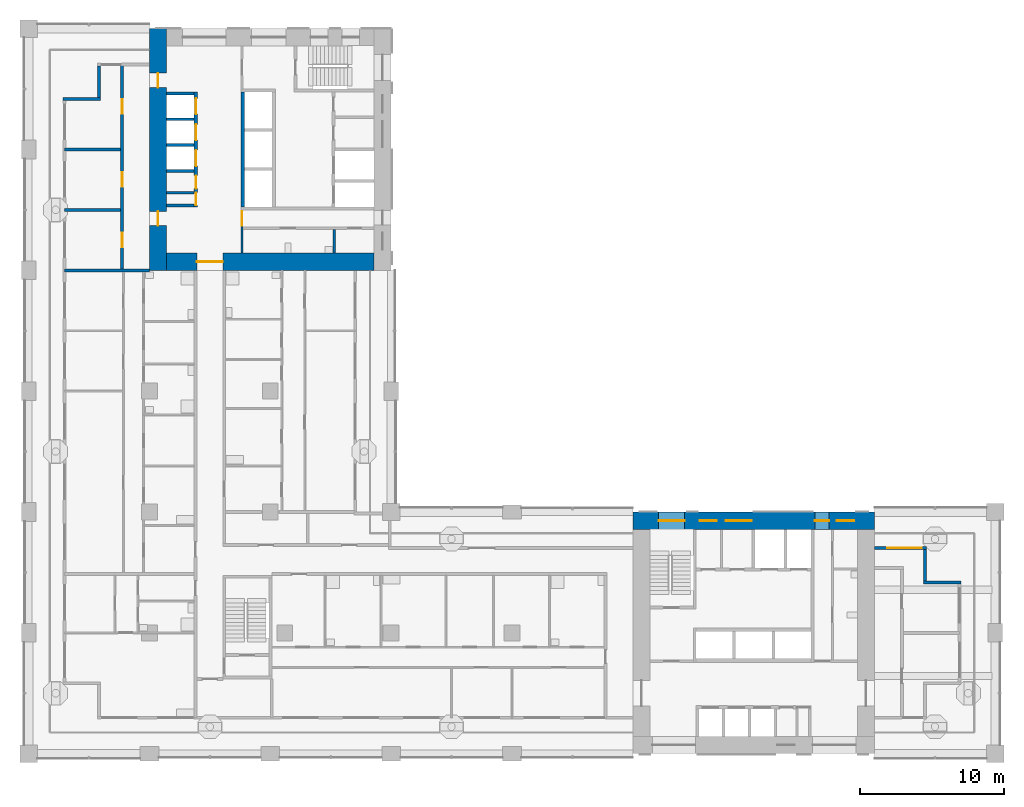
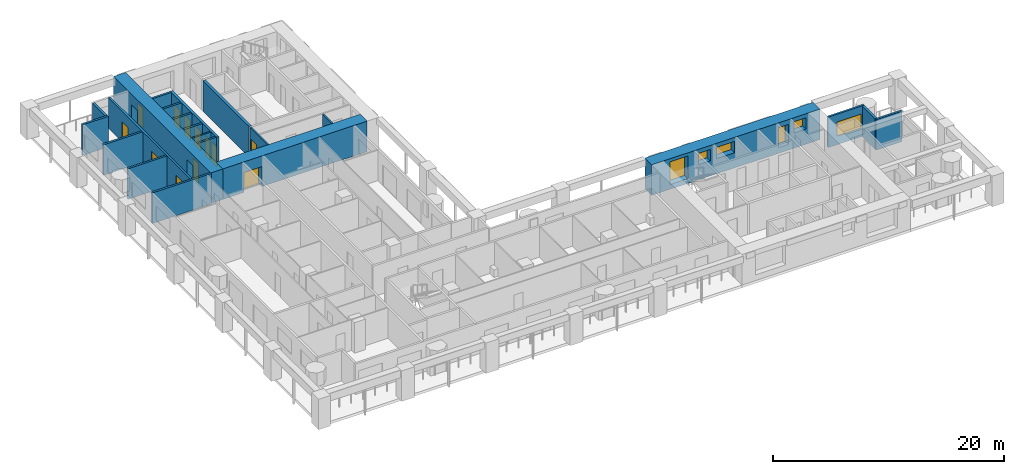
# One storey, part 6 of 18: 22 walls, 12 doors, 6 windows, 18 openings.
"""IFC4 building model written with IfcOpenShell, lengths in metres."""

import ifcopenshell
import ifcopenshell.guid

model = None  # the IFC model being written
_history = None  # IfcOwnerHistory: only IFC2X3 demands one
_inside = {}  # id of a spatial element -> (the spatial element, [elements in it])
_under = {}  # id of a project, library or spatial element -> (it, [spatial elements below it])
_declared = {}  # id of a project -> (the project, [libraries it declares])
_typed = {}  # id of a type object -> (the type object, [elements of that type])
_made_of = {}  # id of a material, layer set ... -> (it, [elements and type objects made of it])


def new_model(schema):
    """Start an empty IFC model of exactly this schema.

    Asked for "IFC4X3", IfcOpenShell would pick the latest addendum, in which some entities
    have other attributes; the version numbers below select the first issue.
    IFC2X3 requires an IfcOwnerHistory on every rooted entity: one is made here for all.
    """
    global model, _history
    if schema == "IFC4X3":
        model = ifcopenshell.file(schema_version=(4, 3, 0, 0))
    else:
        model = ifcopenshell.file(schema=schema)
    _inside.clear()
    _under.clear()
    _declared.clear()
    _typed.clear()
    _made_of.clear()
    _history = None
    if model.schema == "IFC2X3":
        org = make("IfcOrganization", Name="unknown")
        user = make(
            "IfcPersonAndOrganization",
            ThePerson=make("IfcPerson", FamilyName="unknown"),
            TheOrganization=org,
        )
        app = make(
            "IfcApplication",
            ApplicationDeveloper=org,
            Version="unknown",
            ApplicationFullName="unknown",
            ApplicationIdentifier="unknown",
        )
        _history = make(
            "IfcOwnerHistory",
            OwningUser=user,
            OwningApplication=app,
            ChangeAction="ADDED",
            CreationDate=0,
        )
    return model


def make(cls, **values):
    """One entity of the class cls with the attributes given. An attribute that is None is left unset."""
    return model.create_entity(
        cls, **{name: value for name, value in values.items() if value is not None}
    )


def rooted(cls, **values):
    """An entity with a GlobalId (a new one), such as an element, a storey or a relation."""
    return make(cls, GlobalId=ifcopenshell.guid.new(), OwnerHistory=_history, **values)


def si_unit(unit_type, name, prefix=None):
    """IfcSIUnit, for example si_unit("LENGTHUNIT", "METRE", prefix="MILLI")."""
    return make("IfcSIUnit", UnitType=unit_type, Prefix=prefix, Name=name)


def assignment(units):
    """IfcUnitAssignment: the units of a project."""
    return None if units is None else make("IfcUnitAssignment", Units=units)


def point(xyz):
    """IfcCartesianPoint."""
    return None if xyz is None else make("IfcCartesianPoint", Coordinates=xyz)


def direction(xyz):
    """IfcDirection."""
    return None if xyz is None else make("IfcDirection", DirectionRatios=xyz)


def frame(location, z_axis=None, x_axis=None):
    """IfcAxis2Placement3D, a coordinate frame: its origin and axes. An axis left out is left unset."""
    return make(
        "IfcAxis2Placement3D",
        Location=point(location),
        Axis=direction(z_axis),
        RefDirection=direction(x_axis),
    )


def frame_2d(location, x_axis=None):
    """IfcAxis2Placement2D, a coordinate frame in the plane: its origin and x axis."""
    return make(
        "IfcAxis2Placement2D", Location=point(location), RefDirection=direction(x_axis)
    )


def origin():
    """The frame at (0, 0, 0) with its axes left unset."""
    return frame((0.0, 0.0, 0.0))


def place(relative_to, where):
    """IfcLocalPlacement: puts the frame where relative to a parent placement (None: the world)."""
    return make(
        "IfcLocalPlacement", PlacementRelTo=relative_to, RelativePlacement=where
    )


def context(
    kind, dimensions, precision=None, world=None, true_north=None, identifier=None
):
    """IfcGeometricRepresentationContext, for example the 3D "Model" context."""
    return make(
        "IfcGeometricRepresentationContext",
        ContextIdentifier=identifier,
        ContextType=kind,
        CoordinateSpaceDimension=dimensions,
        Precision=precision,
        WorldCoordinateSystem=world,
        TrueNorth=true_north,
    )


def subcontext(parent, identifier, kind, view, scale=None):
    """IfcGeometricRepresentationSubContext, for example "Body" below "Model"."""
    return make(
        "IfcGeometricRepresentationSubContext",
        ContextIdentifier=identifier,
        ContextType=kind,
        ParentContext=parent,
        TargetScale=scale,
        TargetView=view,
    )


def project(units=None, contexts=None):
    """IfcProject with its units and contexts."""
    return rooted(
        "IfcProject",
        Name="project",
        RepresentationContexts=contexts,
        UnitsInContext=assignment(units),
    )


def spatial(cls, under=None, at=None, **own):
    """A site, building, storey or space (cls), placed at a placement, below another one or the project."""
    s = rooted(cls, ObjectPlacement=at, **own)
    if under is not None:
        _under.setdefault(under.id(), (under, []))[1].append(s)
    return s


def profile(cls, at=None, kind="AREA", **sizes):
    """A parametric profile (cls). Its sizes go by their IFC names, for example OverallWidth=200.0."""
    return make(cls, ProfileType=kind, Position=at, **sizes)


def rectangle(**sizes):
    """IfcRectangleProfileDef."""
    return profile("IfcRectangleProfileDef", **sizes)


def extrude(swept, where, along, depth):
    """IfcExtrudedAreaSolid: the profile swept, set in the frame where, extruded along a direction by depth."""
    return make(
        "IfcExtrudedAreaSolid",
        SweptArea=swept,
        Position=where,
        ExtrudedDirection=direction(along),
        Depth=depth,
    )


def shape(context_of_items, identifier, shape_type, items):
    """IfcShapeRepresentation: the items that make up one representation, for example the "Body"."""
    return make(
        "IfcShapeRepresentation",
        ContextOfItems=context_of_items,
        RepresentationIdentifier=identifier,
        RepresentationType=shape_type,
        Items=items,
    )


def material(Name=None, Category=None):
    """IfcMaterial."""
    return make("IfcMaterial", Name=Name, Category=Category)


def layer(
    of_material, thickness, ventilated=None, Name=None, Category=None, Priority=None
):
    """IfcMaterialLayer: one layer of a wall or slab, of a material (None: an air gap)."""
    return make(
        "IfcMaterialLayer",
        Material=of_material,
        LayerThickness=thickness,
        IsVentilated=ventilated,
        Name=Name,
        Category=Category,
        Priority=Priority,
    )


def layer_set(layers, Name=None):
    """IfcMaterialLayerSet."""
    return make("IfcMaterialLayerSet", MaterialLayers=layers, LayerSetName=Name)


def made_of(thing, what):
    """Note that an element or type object is made of a material, layer set ...; save() writes the relation."""
    if what is not None:
        _made_of.setdefault(what.id(), (what, []))[1].append(thing)
    return thing


def type_object(cls, material=None, **own):
    """A type object (cls), such as IfcWallType, which elements share."""
    return made_of(rooted(cls, **own), material)


def element(
    cls,
    number,
    at=None,
    inside=None,
    cuts=None,
    type_object=None,
    material=None,
    context=None,
    identifier="Body",
    shape_type=None,
    held_by="IfcProductDefinitionShape",
    body=None,
    shapes=None,
    **own,
):
    """One element of the class cls, such as IfcWall. Its Tag is "e" and its number.

    at: its placement. inside: the storey or other place that contains it. cuts: it is an
    opening in that element (IfcRelVoidsElement). A single representation is given by context,
    identifier, shape_type and body (its items); several are given by shapes. held_by: the class
    of the entity that holds the representations. save() writes the other relations.
    """
    e = rooted(cls, Tag="e%d" % number, ObjectPlacement=at, **own)
    if body is not None:
        shapes = [shape(context, identifier, shape_type, body)]
    if shapes is not None:
        e.Representation = make(held_by, Representations=shapes)
    if inside is not None:
        _inside.setdefault(inside.id(), (inside, []))[1].append(e)
    if cuts is not None:
        rooted(
            "IfcRelVoidsElement", RelatingBuildingElement=cuts, RelatedOpeningElement=e
        )
    if type_object is not None:
        _typed.setdefault(type_object.id(), (type_object, []))[1].append(e)
    return made_of(e, material)


def fill(opening, filler):
    """IfcRelFillsElement: the door or window that sits in an opening."""
    return rooted(
        "IfcRelFillsElement",
        RelatingOpeningElement=opening,
        RelatedBuildingElement=filler,
    )


def aggregate(whole, parts):
    """IfcRelAggregates: a whole, such as a stair, and the parts it consists of."""
    return rooted("IfcRelAggregates", RelatingObject=whole, RelatedObjects=parts)


def save(model, path):
    """Write the relations noted so far, then the file.

    IfcRelAggregates (storeys below a building ...), IfcRelContainedInSpatialStructure (elements
    in a storey), IfcRelDefinesByType, IfcRelAssociatesMaterial and IfcRelDeclares: one each for
    every whole, place, type object, material and project.
    """
    for whole, parts in _under.values():
        aggregate(whole, parts)
    for where, things in _inside.values():
        rooted(
            "IfcRelContainedInSpatialStructure",
            RelatedElements=things,
            RelatingStructure=where,
        )
    for kind, things in _typed.values():
        rooted("IfcRelDefinesByType", RelatedObjects=things, RelatingType=kind)
    for what, things in _made_of.values():
        rooted("IfcRelAssociatesMaterial", RelatedObjects=things, RelatingMaterial=what)
    for by, libraries in _declared.values():
        rooted("IfcRelDeclares", RelatingContext=by, RelatedDefinitions=libraries)
    model.write(path)


model = new_model("IFC4")

# Units and contexts
model_context = context("Model", 3, precision=1e-05, world=origin(), true_north=direction((0.0, 1.0)))
body_context = subcontext(model_context, "Body", "Model", "MODEL_VIEW")
ifc_project = project(units=[si_unit("LENGTHUNIT", "METRE"), si_unit("AREAUNIT", "SQUARE_METRE"), si_unit("VOLUMEUNIT", "CUBIC_METRE"), si_unit("PLANEANGLEUNIT", "RADIAN"), si_unit("MASSUNIT", "GRAM", prefix="KILO")], contexts=[model_context])

# Site, building, storey
site_placement = place(None, origin())
site = spatial("IfcSite", under=ifc_project, at=site_placement, CompositionType="ELEMENT")
building_placement = place(site_placement, origin())
building = spatial("IfcBuilding", under=site, at=building_placement, Name="Vermilion Gate Residences", CompositionType="ELEMENT")
storey_placement = place(building_placement, frame((0.0, 0.0, 133.699951171875)))
storey = spatial("IfcBuildingStorey", under=building, at=storey_placement, Name="L34", CompositionType="ELEMENT", Elevation=133.699951171875)

# Wall
ifc_material_1 = material(Name="Masonry blockwork", Category="masonry")
ifc_layer_1 = layer(ifc_material_1, 0.14990234375)
ifc_layer_set_1 = layer_set([ifc_layer_1], Name="BLOCKWORK PARTITION 150 EI 120")
wall_type_1 = type_object("IfcWallType", Name="BLOCKWORK PARTITION 150 EI 120", PredefinedType="PARTITIONING", material=ifc_layer_set_1)
wall_1_placement = place(storey_placement, frame((9.60009765625, 47.392578125, 0.0), z_axis=(0.0, 0.0, 1.0), x_axis=(1.0, 0.0, 0.0)))
element("IfcWall", 1, at=wall_1_placement, inside=storey, type_object=wall_type_1, Name="Core room partition B34-SR-P0", PredefinedType="PARTITIONING", context=body_context, shape_type="SweptSolid", body=[
    extrude(rectangle(XDim=1.89990234375, YDim=0.14990234375, at=frame_2d((0.949951171875, 0.0))), origin(), (0.0, 0.0, 1.0), 3.219970703125),
])

# Wall, opening, door
wall_2_placement = place(storey_placement, frame((14.824951171875, 46.199951171875, 0.0), z_axis=(0.0, 0.0, 1.0), x_axis=(0.0, -1.0, 0.0)))
wall_2 = element("IfcWall", 2, at=wall_2_placement, inside=storey, type_object=wall_type_1, Name="Core room partition B34-ES-S", PredefinedType="PARTITIONING", context=body_context, shape_type="SweptSolid", body=[
    extrude(rectangle(XDim=3.0, YDim=0.14990234375, at=frame_2d((1.5, 0.0))), origin(), (0.0, 0.0, 1.0), 3.219970703125),
])
opening_1_placement = place(wall_2_placement, frame((0.10009765625, 0.0, 0.0)))
opening_1 = element("IfcOpeningElement", 3, at=opening_1_placement, cuts=wall_2, Name="Opening DK34115", PredefinedType="OPENING", context=body_context, shape_type="SweptSolid", body=[
    extrude(rectangle(XDim=1.0, YDim=2.10009765625, at=frame_2d((0.5, 1.050048828125))), frame((0.0, 0.0849609375, 0.0), z_axis=(0.0, -1.0, 0.0), x_axis=(1.0, 0.0, 0.0)), (0.0, 0.0, 1.0), 0.169921875),
])
ifc_material_2 = material(Name="Steel", Category="steel")
door_type_1 = type_object("IfcDoorType", Name="FIRE DOOR FD60 1000 X 2100", OperationType="SINGLE_SWING_LEFT", PredefinedType="DOOR", material=ifc_material_2)
door_1_placement = place(opening_1_placement, frame((1.0, 0.0, 0.0), z_axis=(0.0, 0.0, 1.0), x_axis=(-1.0, 0.0, 0.0)))
door_1 = element("IfcDoor", 4, at=door_1_placement, inside=storey, type_object=door_type_1, Name="Service corridor door B34", OperationType="SINGLE_SWING_LEFT", OverallHeight=2.10009765625, OverallWidth=1.0, PredefinedType="DOOR", context=body_context, shape_type="SweptSolid", body=[
    extrude(rectangle(XDim=1.0, YDim=2.10009765625, at=frame_2d((0.5, 1.050048828125))), frame((0.0, 0.02490234375, 0.0), z_axis=(0.0, -1.0, 0.0), x_axis=(1.0, 0.0, 0.0)), (0.0, 0.0, 1.0), 0.050048828125),
])
fill(opening_1, door_1)

# Walls
wall_3_placement = place(storey_placement, frame((21.239990234375, 44.85009765625, 0.0), z_axis=(0.0, 0.0, 1.0), x_axis=(0.0, -1.0, 0.0)))
element("IfcWall", 5, at=wall_3_placement, inside=storey, type_object=wall_type_1, Name="Core room partition B34-ES-P0", PredefinedType="PARTITIONING", context=body_context, shape_type="SweptSolid", body=[
    extrude(rectangle(XDim=1.650146484375, YDim=0.14990234375, at=frame_2d((0.8251953125, 0.0))), origin(), (0.0, 0.0, 1.0), 3.219970703125),
])
ifc_material_3 = material(Name="Insulated steel stud wall with terracotta rainscreen", Category="masonry")
ifc_layer_2 = layer(ifc_material_3, 0.199951171875)
ifc_layer_set_2 = layer_set([ifc_layer_2], Name="EXTERNAL WALL 200 TERRACOTTA RAINSCREEN")
wall_type_2 = type_object("IfcWallType", Name="EXTERNAL WALL 200 TERRACOTTA RAINSCREEN", PredefinedType="SOLIDWALL", material=ifc_layer_set_2)
wall_4_placement = place(storey_placement, frame((4.89990234375, 56.199951171875, 0.0), z_axis=(0.0, 0.0, 1.0), x_axis=(0.0, -1.0, 0.0)))
element("IfcWall", 6, at=wall_4_placement, inside=storey, type_object=wall_type_2, Name="External wall", PredefinedType="SOLIDWALL", context=body_context, shape_type="SweptSolid", body=[
    extrude(rectangle(XDim=2.199951171875, YDim=0.199951171875, at=frame_2d((1.10009765625, 0.0))), origin(), (0.0, 0.0, 1.0), 3.219970703125),
])
for number, where, z_axis, x_axis, name in (
    (7, (5.0, 53.89990234375, 0.0), (0.0, 0.0, 1.0), (-1.0, 0.0, 0.0), "External wall"),
    (8, (64.800048828125, 20.300048828125, 0.0), (0.0, 0.0, 1.0), (-1.0, 0.0, 0.0), "External wall"),
):
    element("IfcWall", number, at=place(storey_placement, frame(where, z_axis=z_axis, x_axis=x_axis)), inside=storey, type_object=wall_type_2, Name=name, PredefinedType="SOLIDWALL", context=body_context, shape_type="SweptSolid", body=[
        extrude(rectangle(XDim=2.60009765625, YDim=0.199951171875, at=frame_2d((1.300048828125, 0.0))), origin(), (0.0, 0.0, 1.0), 3.219970703125),
    ])
wall_5_placement = place(storey_placement, frame((62.300048828125, 20.39990234375, 0.0), z_axis=(0.0, 0.0, 1.0), x_axis=(0.0, 1.0, 0.0)))
element("IfcWall", 9, at=wall_5_placement, inside=storey, type_object=wall_type_2, Name="External wall", PredefinedType="SOLIDWALL", context=body_context, shape_type="SweptSolid", body=[
    extrude(rectangle(XDim=2.2001953125, YDim=0.199951171875, at=frame_2d((1.10009765625, 0.0))), origin(), (0.0, 0.0, 1.0), 3.219970703125),
])

# Wall, opening, window
wall_6_placement = place(storey_placement, frame((62.39990234375, 22.699951171875, 0.0), z_axis=(0.0, 0.0, 1.0), x_axis=(-1.0, 0.0, 0.0)))
wall_6 = element("IfcWall", 10, at=wall_6_placement, inside=storey, type_object=wall_type_2, Name="External wall", PredefinedType="SOLIDWALL", context=body_context, shape_type="SweptSolid", body=[
    extrude(rectangle(XDim=3.599853515625, YDim=0.199951171875, at=frame_2d((1.7998046875, 0.0))), origin(), (0.0, 0.0, 1.0), 3.219970703125),
])
opening_2_placement = place(wall_6_placement, frame((0.300048828125, 0.0, 0.89990234375)))
opening_2 = element("IfcOpeningElement", 11, at=opening_2_placement, cuts=wall_6, Name="Opening WE34023", PredefinedType="OPENING", context=body_context, shape_type="SweptSolid", body=[
    extrude(rectangle(XDim=2.39990234375, YDim=1.5, at=frame_2d((1.199951171875, 0.75))), frame((0.0, 0.10986328125, 0.0), z_axis=(0.0, -1.0, 0.0), x_axis=(1.0, 0.0, 0.0)), (0.0, 0.0, 1.0), 0.219970703125),
])
ifc_material_4 = material(Name="Aluminium and clear glass", Category="aluminium")
window_type_1 = type_object("IfcWindowType", Name="WINDOW 2400 X 1500", PartitioningType="SINGLE_PANEL", PredefinedType="WINDOW", material=ifc_material_4)
window_1_placement = place(opening_2_placement, origin())
window_1 = element("IfcWindow", 12, at=window_1_placement, inside=storey, type_object=window_type_1, Name="Window", OverallHeight=1.5, OverallWidth=2.39990234375, PartitioningType="SINGLE_PANEL", PredefinedType="WINDOW", context=body_context, shape_type="SweptSolid", body=[
    extrude(rectangle(XDim=2.39990234375, YDim=1.5, at=frame_2d((1.199951171875, 0.75))), frame((0.0, 0.030029296875, 0.0), z_axis=(0.0, -1.0, 0.0), x_axis=(1.0, 0.0, 0.0)), (0.0, 0.0, 1.0), 0.06005859375),
])
fill(opening_2, window_1)

# Walls
ifc_material_5 = material(Name="Fire-rated plasterboard on steel studs", Category="steel")
ifc_layer_3 = layer(ifc_material_5, 0.199951171875)
ifc_layer_set_3 = layer_set([ifc_layer_3], Name="PARTY WALL 200 EI 120")
wall_type_3 = type_object("IfcWallType", Name="PARTY WALL 200 EI 120", PredefinedType="PARTITIONING", material=ifc_layer_set_3)
wall_7_placement = place(storey_placement, frame((2.5, 42.0, 0.0), z_axis=(0.0, 0.0, 1.0), x_axis=(1.0, 0.0, 0.0)))
element("IfcWall", 13, at=wall_7_placement, inside=storey, type_object=wall_type_3, Name="Party and corridor wall", PredefinedType="PARTITIONING", context=body_context, shape_type="SweptSolid", body=[
    extrude(rectangle(XDim=5.89990234375, YDim=0.199951171875, at=frame_2d((2.949951171875, 0.0))), origin(), (0.0, 0.0, 1.0), 3.219970703125),
])
for number, where, z_axis, x_axis, name in (
    (14, (2.5, 46.199951171875, 0.0), (0.0, 0.0, 1.0), (1.0, 0.0, 0.0), "Party and corridor wall"),
    (15, (2.5, 50.39990234375, 0.0), (0.0, 0.0, 1.0), (1.0, 0.0, 0.0), "Party and corridor wall"),
):
    element("IfcWall", number, at=place(storey_placement, frame(where, z_axis=z_axis, x_axis=x_axis)), inside=storey, type_object=wall_type_3, Name=name, PredefinedType="PARTITIONING", context=body_context, shape_type="SweptSolid", body=[
        extrude(rectangle(XDim=3.89990234375, YDim=0.199951171875, at=frame_2d((1.949951171875, 0.0))), origin(), (0.0, 0.0, 1.0), 3.219970703125),
    ])

# Wall, openings, doors
wall_8_placement = place(storey_placement, frame((6.5, 42.10009765625, 0.0), z_axis=(0.0, 0.0, 1.0), x_axis=(0.0, 1.0, 0.0)))
wall_8 = element("IfcWall", 16, at=wall_8_placement, inside=storey, type_object=wall_type_3, Name="Party and corridor wall", PredefinedType="PARTITIONING", context=body_context, shape_type="SweptSolid", body=[
    extrude(rectangle(XDim=14.199951171875, YDim=0.199951171875, at=frame_2d((7.10009765625, 0.0))), origin(), (0.0, 0.0, 1.0), 3.219970703125),
])
opening_3_placement = place(wall_8_placement, frame((1.5, 0.0, 0.0)))
opening_3 = element("IfcOpeningElement", 17, at=opening_3_placement, cuts=wall_8, Name="Opening DA34016", PredefinedType="OPENING", context=body_context, shape_type="SweptSolid", body=[
    extrude(rectangle(XDim=1.0, YDim=2.10009765625, at=frame_2d((0.5, 1.050048828125))), frame((0.0, 0.10986328125, 0.0), z_axis=(0.0, -1.0, 0.0), x_axis=(1.0, 0.0, 0.0)), (0.0, 0.0, 1.0), 0.219970703125),
])
opening_4_placement = place(wall_8_placement, frame((5.699951171875, 0.0, 0.0)))
opening_4 = element("IfcOpeningElement", 18, at=opening_4_placement, cuts=wall_8, Name="Opening DA34017", PredefinedType="OPENING", context=body_context, shape_type="SweptSolid", body=[
    extrude(rectangle(XDim=1.0, YDim=2.10009765625, at=frame_2d((0.5, 1.050048828125))), frame((0.0, 0.10986328125, 0.0), z_axis=(0.0, -1.0, 0.0), x_axis=(1.0, 0.0, 0.0)), (0.0, 0.0, 1.0), 0.219970703125),
])
opening_5_placement = place(wall_8_placement, frame((10.800048828125, 0.0, 0.0)))
opening_5 = element("IfcOpeningElement", 19, at=opening_5_placement, cuts=wall_8, Name="Opening DA34018", PredefinedType="OPENING", context=body_context, shape_type="SweptSolid", body=[
    extrude(rectangle(XDim=1.0, YDim=2.10009765625, at=frame_2d((0.5, 1.050048828125))), frame((0.0, 0.10986328125, 0.0), z_axis=(0.0, -1.0, 0.0), x_axis=(1.0, 0.0, 0.0)), (0.0, 0.0, 1.0), 0.219970703125),
])
ifc_material_6 = material(Name="Steel", Category="steel")
door_type_2 = type_object("IfcDoorType", Name="ENTRANCE DOOR 1000 X 2100 FD30", OperationType="SINGLE_SWING_LEFT", PredefinedType="DOOR", material=ifc_material_6)
door_2_placement = place(opening_3_placement, origin())
door_2 = element("IfcDoor", 20, at=door_2_placement, inside=storey, type_object=door_type_2, Name="Entrance door", OperationType="SINGLE_SWING_LEFT", OverallHeight=2.10009765625, OverallWidth=1.0, PredefinedType="DOOR", context=body_context, shape_type="SweptSolid", body=[
    extrude(rectangle(XDim=1.0, YDim=2.10009765625, at=frame_2d((0.5, 1.050048828125))), frame((0.0, 0.02490234375, 0.0), z_axis=(0.0, -1.0, 0.0), x_axis=(1.0, 0.0, 0.0)), (0.0, 0.0, 1.0), 0.050048828125),
])
fill(opening_3, door_2)
door_3_placement = place(opening_4_placement, origin())
door_3 = element("IfcDoor", 21, at=door_3_placement, inside=storey, type_object=door_type_2, Name="Entrance door", OperationType="SINGLE_SWING_RIGHT", OverallHeight=2.10009765625, OverallWidth=1.0, PredefinedType="DOOR", context=body_context, shape_type="SweptSolid", body=[
    extrude(rectangle(XDim=1.0, YDim=2.10009765625, at=frame_2d((0.5, 1.050048828125))), frame((0.0, 0.02490234375, 0.0), z_axis=(0.0, -1.0, 0.0), x_axis=(1.0, 0.0, 0.0)), (0.0, 0.0, 1.0), 0.050048828125),
])
fill(opening_4, door_3)
door_4_placement = place(opening_5_placement, origin())
door_4 = element("IfcDoor", 22, at=door_4_placement, inside=storey, type_object=door_type_2, Name="Entrance door", OperationType="SINGLE_SWING_RIGHT", OverallHeight=2.10009765625, OverallWidth=1.0, PredefinedType="DOOR", context=body_context, shape_type="SweptSolid", body=[
    extrude(rectangle(XDim=1.0, YDim=2.10009765625, at=frame_2d((0.5, 1.050048828125))), frame((0.0, 0.02490234375, 0.0), z_axis=(0.0, -1.0, 0.0), x_axis=(1.0, 0.0, 0.0)), (0.0, 0.0, 1.0), 0.050048828125),
])
fill(opening_5, door_4)

# Walls
ifc_material_7 = material(Name="Concrete C60", Category="concrete")
ifc_layer_4 = layer(ifc_material_7, 0.199951171875)
ifc_layer_set_4 = layer_set([ifc_layer_4], Name="RC CORE INTERNAL WALL 200 C60")
wall_type_4 = type_object("IfcWallType", Name="RC CORE INTERNAL WALL 200 C60", PredefinedType="SHEAR", material=ifc_layer_set_4)
for number, where, z_axis, x_axis, name in (
    (23, (9.60009765625, 54.300048828125, 0.0), (0.0, 0.0, 1.0), (1.0, 0.0, 0.0), "Core internal wall B34-LR-D0"),
    (24, (9.60009765625, 52.5, 0.0), (0.0, 0.0, 1.0), (1.0, 0.0, 0.0), "Core internal wall B34-LR-D1"),
    (25, (9.60009765625, 50.699951171875, 0.0), (0.0, 0.0, 1.0), (1.0, 0.0, 0.0), "Core internal wall B34-LR-D2"),
    (26, (9.60009765625, 48.89990234375, 0.0), (0.0, 0.0, 1.0), (1.0, 0.0, 0.0), "Core internal wall B34-LR-D3"),
    (27, (9.60009765625, 46.5, 0.0), (0.0, 0.0, 1.0), (1.0, 0.0, 0.0), "Core internal wall B34-LR-DE"),
):
    element("IfcWall", number, at=place(storey_placement, frame(where, z_axis=z_axis, x_axis=x_axis)), inside=storey, type_object=wall_type_4, Name=name, PredefinedType="SHEAR", context=body_context, shape_type="SweptSolid", body=[
        extrude(rectangle(XDim=1.89990234375, YDim=0.199951171875, at=frame_2d((0.949951171875, 0.0))), origin(), (0.0, 0.0, 1.0), 3.219970703125),
    ])

# Wall, openings, doors
ifc_material_8 = material(Name="Concrete C70", Category="concrete")
ifc_layer_5 = layer(ifc_material_8, 1.199951171875)
ifc_layer_set_5 = layer_set([ifc_layer_5], Name="RC CORE WALL 1200 C70")
wall_type_5 = type_object("IfcWallType", Name="RC CORE WALL 1200 C70", PredefinedType="SHEAR", material=ifc_layer_set_5)
wall_9_placement = place(storey_placement, frame((9.0, 58.800048828125, 0.0), z_axis=(0.0, 0.0, 1.0), x_axis=(0.0, -1.0, 0.0)))
wall_9 = element("IfcWall", 28, at=wall_9_placement, inside=storey, type_object=wall_type_5, Name="Core wall B34-OUT-B0", PredefinedType="SHEAR", context=body_context, shape_type="SweptSolid", body=[
    extrude(rectangle(XDim=16.800048828125, YDim=1.199951171875, at=frame_2d((8.39990234375, 0.0))), origin(), (0.0, 0.0, 1.0), 3.219970703125),
])
opening_6_placement = place(wall_9_placement, frame((3.10009765625, 0.0, 0.0)))
opening_6 = element("IfcOpeningElement", 29, at=opening_6_placement, cuts=wall_9, Name="Opening DK34101", PredefinedType="OPENING", context=body_context, shape_type="SweptSolid", body=[
    extrude(rectangle(XDim=1.0, YDim=2.10009765625, at=frame_2d((0.5, 1.050048828125))), frame((0.0, 0.60986328125, 0.0), z_axis=(0.0, -1.0, 0.0), x_axis=(1.0, 0.0, 0.0)), (0.0, 0.0, 1.0), 1.219970703125),
])
opening_7_placement = place(wall_9_placement, frame((12.699951171875, 0.0, 0.0)))
opening_7 = element("IfcOpeningElement", 30, at=opening_7_placement, cuts=wall_9, Name="Opening DK34102", PredefinedType="OPENING", context=body_context, shape_type="SweptSolid", body=[
    extrude(rectangle(XDim=1.0, YDim=2.10009765625, at=frame_2d((0.5, 1.050048828125))), frame((0.0, 0.60986328125, 0.0), z_axis=(0.0, -1.0, 0.0), x_axis=(1.0, 0.0, 0.0)), (0.0, 0.0, 1.0), 1.219970703125),
])
door_5_placement = place(opening_6_placement, origin())
door_5 = element("IfcDoor", 31, at=door_5_placement, inside=storey, type_object=door_type_1, Name="Core lobby side door B34", OperationType="SINGLE_SWING_RIGHT", OverallHeight=2.10009765625, OverallWidth=1.0, PredefinedType="DOOR", context=body_context, shape_type="SweptSolid", body=[
    extrude(rectangle(XDim=1.0, YDim=2.10009765625, at=frame_2d((0.5, 1.050048828125))), frame((0.0, 0.02490234375, 0.0), z_axis=(0.0, -1.0, 0.0), x_axis=(1.0, 0.0, 0.0)), (0.0, 0.0, 1.0), 0.050048828125),
])
fill(opening_6, door_5)
door_6_placement = place(opening_7_placement, origin())
door_6 = element("IfcDoor", 32, at=door_6_placement, inside=storey, type_object=door_type_1, Name="Core lobby side door B34", OperationType="SINGLE_SWING_LEFT", OverallHeight=2.10009765625, OverallWidth=1.0, PredefinedType="DOOR", context=body_context, shape_type="SweptSolid", body=[
    extrude(rectangle(XDim=1.0, YDim=2.10009765625, at=frame_2d((0.5, 1.050048828125))), frame((0.0, 0.02490234375, 0.0), z_axis=(0.0, -1.0, 0.0), x_axis=(1.0, 0.0, 0.0)), (0.0, 0.0, 1.0), 0.050048828125),
])
fill(opening_7, door_6)

# Wall, opening, door
wall_10_placement = place(storey_placement, frame((9.60009765625, 42.60009765625, 0.0), z_axis=(0.0, 0.0, 1.0), x_axis=(1.0, 0.0, 0.0)))
wall_10 = element("IfcWall", 33, at=wall_10_placement, inside=storey, type_object=wall_type_5, Name="Core wall B34-OUT-BK", PredefinedType="SHEAR", context=body_context, shape_type="SweptSolid", body=[
    extrude(rectangle(XDim=14.39990234375, YDim=1.199951171875, at=frame_2d((7.199951171875, 0.0))), origin(), (0.0, 0.0, 1.0), 3.219970703125),
])
opening_8_placement = place(wall_10_placement, frame((2.10009765625, 0.0, 0.0)))
opening_8 = element("IfcOpeningElement", 34, at=opening_8_placement, cuts=wall_10, Name="Opening DK34103", PredefinedType="OPENING", context=body_context, shape_type="SweptSolid", body=[
    extrude(rectangle(XDim=1.800048828125, YDim=2.10009765625, at=frame_2d((0.89990234375, 1.050048828125))), frame((0.0, 0.60986328125, 0.0), z_axis=(0.0, -1.0, 0.0), x_axis=(1.0, 0.0, 0.0)), (0.0, 0.0, 1.0), 1.219970703125),
])
ifc_material_9 = material(Name="Steel", Category="steel")
door_type_3 = type_object("IfcDoorType", Name="CORE LOBBY DOOR FD60 1800 X 2100", OperationType="DOUBLE_DOOR_SINGLE_SWING", PredefinedType="DOOR", material=ifc_material_9)
door_7_placement = place(opening_8_placement, origin())
door_7 = element("IfcDoor", 35, at=door_7_placement, inside=storey, type_object=door_type_3, Name="Core lobby door B34", OperationType="DOUBLE_DOOR_SINGLE_SWING", OverallHeight=2.10009765625, OverallWidth=1.800048828125, PredefinedType="DOOR", context=body_context, shape_type="SweptSolid", body=[
    extrude(rectangle(XDim=1.800048828125, YDim=2.10009765625, at=frame_2d((0.89990234375, 1.050048828125))), frame((0.0, 0.02490234375, 0.0), z_axis=(0.0, -1.0, 0.0), x_axis=(1.0, 0.0, 0.0)), (0.0, 0.0, 1.0), 0.050048828125),
])
fill(opening_8, door_7)

# Wall, openings, windows
ifc_material_10 = material(Name="Concrete C70 red-oxide pigmented", Category="concrete")
ifc_layer_6 = layer(ifc_material_10, 1.199951171875)
ifc_layer_set_6 = layer_set([ifc_layer_6], Name="RC CORE WALL 1200 C70 RED OXIDE")
wall_type_6 = type_object("IfcWallType", Name="RC CORE WALL 1200 C70 RED OXIDE", PredefinedType="SHEAR", material=ifc_layer_set_6)
wall_11_placement = place(storey_placement, frame((42.0, 24.60009765625, 0.0), z_axis=(0.0, 0.0, 1.0), x_axis=(1.0, 0.0, 0.0)))
wall_11 = element("IfcWall", 36, at=wall_11_placement, inside=storey, type_object=wall_type_6, Name="Core wall A34-OUT-B1", PredefinedType="SHEAR", context=body_context, shape_type="SweptSolid", body=[
    extrude(rectangle(XDim=16.800048828125, YDim=1.199951171875, at=frame_2d((8.39990234375, 0.0))), origin(), (0.0, 0.0, 1.0), 3.219970703125),
])
opening_9_placement = place(wall_11_placement, frame((1.800048828125, 0.0, 0.5)))
opening_9 = element("IfcOpeningElement", 37, at=opening_9_placement, cuts=wall_11, Name="Opening WKA3404", PredefinedType="OPENING", context=body_context, shape_type="SweptSolid", body=[
    extrude(rectangle(XDim=1.800048828125, YDim=2.39990234375, at=frame_2d((0.89990234375, 1.199951171875))), frame((0.0, 0.60986328125, 0.0), z_axis=(0.0, -1.0, 0.0), x_axis=(1.0, 0.0, 0.0)), (0.0, 0.0, 1.0), 1.219970703125),
])
opening_10_placement = place(wall_11_placement, frame((4.643798828125, 0.0, 1.60009765625)))
opening_10 = element("IfcOpeningElement", 38, at=opening_10_placement, cuts=wall_11, Name="Opening WKA3405", PredefinedType="OPENING", context=body_context, shape_type="SweptSolid", body=[
    extrude(rectangle(XDim=1.199951171875, YDim=1.199951171875, at=frame_2d((0.60009765625, 0.60009765625))), frame((0.0, 0.60986328125, 0.0), z_axis=(0.0, -1.0, 0.0), x_axis=(1.0, 0.0, 0.0)), (0.0, 0.0, 1.0), 1.219970703125),
])
opening_11_placement = place(wall_11_placement, frame((6.449951171875, 0.0, 1.60009765625)))
opening_11 = element("IfcOpeningElement", 39, at=opening_11_placement, cuts=wall_11, Name="Opening WKA3406", PredefinedType="OPENING", context=body_context, shape_type="SweptSolid", body=[
    extrude(rectangle(XDim=1.800048828125, YDim=1.199951171875, at=frame_2d((0.89990234375, 0.60009765625))), frame((0.0, 0.60986328125, 0.0), z_axis=(0.0, -1.0, 0.0), x_axis=(1.0, 0.0, 0.0)), (0.0, 0.0, 1.0), 1.219970703125),
])
opening_12_placement = place(wall_11_placement, frame((12.64990234375, 0.0, 0.60009765625)))
opening_12 = element("IfcOpeningElement", 40, at=opening_12_placement, cuts=wall_11, Name="Opening WKA3407", PredefinedType="OPENING", context=body_context, shape_type="SweptSolid", body=[
    extrude(rectangle(XDim=1.0, YDim=2.10009765625, at=frame_2d((0.5, 1.050048828125))), frame((0.0, 0.60986328125, 0.0), z_axis=(0.0, -1.0, 0.0), x_axis=(1.0, 0.0, 0.0)), (0.0, 0.0, 1.0), 1.219970703125),
])
opening_13_placement = place(wall_11_placement, frame((14.175048828125, 0.0, 1.60009765625)))
opening_13 = element("IfcOpeningElement", 41, at=opening_13_placement, cuts=wall_11, Name="Opening WKA3408", PredefinedType="OPENING", context=body_context, shape_type="SweptSolid", body=[
    extrude(rectangle(XDim=1.199951171875, YDim=1.199951171875, at=frame_2d((0.60009765625, 0.60009765625))), frame((0.0, 0.60986328125, 0.0), z_axis=(0.0, -1.0, 0.0), x_axis=(1.0, 0.0, 0.0)), (0.0, 0.0, 1.0), 1.219970703125),
])
ifc_material_11 = material(Name="Aluminium and clear glass", Category="aluminium")
window_type_2 = type_object("IfcWindowType", Name="CORE CORRIDOR WINDOW 1000 X 2100", PartitioningType="SINGLE_PANEL", PredefinedType="WINDOW", material=ifc_material_11)
window_2_placement = place(opening_12_placement, origin())
window_2 = element("IfcWindow", 42, at=window_2_placement, inside=storey, type_object=window_type_2, Name="Core corridor window", OverallHeight=2.10009765625, OverallWidth=1.0, PartitioningType="SINGLE_PANEL", PredefinedType="WINDOW", context=body_context, shape_type="SweptSolid", body=[
    extrude(rectangle(XDim=1.0, YDim=2.10009765625, at=frame_2d((0.5, 1.050048828125))), frame((0.0, 0.030029296875, 0.0), z_axis=(0.0, -1.0, 0.0), x_axis=(1.0, 0.0, 0.0)), (0.0, 0.0, 1.0), 0.06005859375),
])
fill(opening_12, window_2)
ifc_material_12 = material(Name="Aluminium frame with louvre blades", Category="aluminium")
window_type_3 = type_object("IfcWindowType", Name="CORE LOUVRE 1200 X 1200", PartitioningType="SINGLE_PANEL", PredefinedType="WINDOW", material=ifc_material_12)
window_3_placement = place(opening_10_placement, origin())
window_3 = element("IfcWindow", 43, at=window_3_placement, inside=storey, type_object=window_type_3, Name="Core louvre", OverallHeight=1.199951171875, OverallWidth=1.199951171875, PartitioningType="SINGLE_PANEL", PredefinedType="WINDOW", context=body_context, shape_type="SweptSolid", body=[
    extrude(rectangle(XDim=1.199951171875, YDim=1.199951171875, at=frame_2d((0.60009765625, 0.60009765625))), frame((0.0, 0.030029296875, 0.0), z_axis=(0.0, -1.0, 0.0), x_axis=(1.0, 0.0, 0.0)), (0.0, 0.0, 1.0), 0.06005859375),
])
fill(opening_10, window_3)
window_4_placement = place(opening_13_placement, origin())
window_4 = element("IfcWindow", 44, at=window_4_placement, inside=storey, type_object=window_type_3, Name="Core louvre", OverallHeight=1.199951171875, OverallWidth=1.199951171875, PartitioningType="SINGLE_PANEL", PredefinedType="WINDOW", context=body_context, shape_type="SweptSolid", body=[
    extrude(rectangle(XDim=1.199951171875, YDim=1.199951171875, at=frame_2d((0.60009765625, 0.60009765625))), frame((0.0, 0.030029296875, 0.0), z_axis=(0.0, -1.0, 0.0), x_axis=(1.0, 0.0, 0.0)), (0.0, 0.0, 1.0), 0.06005859375),
])
fill(opening_13, window_4)
ifc_material_13 = material(Name="Aluminium frame with louvre blades", Category="aluminium")
window_type_4 = type_object("IfcWindowType", Name="CORE LOUVRE 1800 X 1200", PartitioningType="SINGLE_PANEL", PredefinedType="WINDOW", material=ifc_material_13)
window_5_placement = place(opening_11_placement, origin())
window_5 = element("IfcWindow", 45, at=window_5_placement, inside=storey, type_object=window_type_4, Name="Core louvre", OverallHeight=1.199951171875, OverallWidth=1.800048828125, PartitioningType="SINGLE_PANEL", PredefinedType="WINDOW", context=body_context, shape_type="SweptSolid", body=[
    extrude(rectangle(XDim=1.800048828125, YDim=1.199951171875, at=frame_2d((0.89990234375, 0.60009765625))), frame((0.0, 0.030029296875, 0.0), z_axis=(0.0, -1.0, 0.0), x_axis=(1.0, 0.0, 0.0)), (0.0, 0.0, 1.0), 0.06005859375),
])
fill(opening_11, window_5)
ifc_material_14 = material(Name="Aluminium and clear glass", Category="aluminium")
window_type_5 = type_object("IfcWindowType", Name="CORE STAIR WINDOW 1800 X 2400", PartitioningType="SINGLE_PANEL", PredefinedType="WINDOW", material=ifc_material_14)
window_6_placement = place(opening_9_placement, origin())
window_6 = element("IfcWindow", 46, at=window_6_placement, inside=storey, type_object=window_type_5, Name="Core stair window", OverallHeight=2.39990234375, OverallWidth=1.800048828125, PartitioningType="SINGLE_PANEL", PredefinedType="WINDOW", context=body_context, shape_type="SweptSolid", body=[
    extrude(rectangle(XDim=1.800048828125, YDim=2.39990234375, at=frame_2d((0.89990234375, 1.199951171875))), frame((0.0, 0.030029296875, 0.0), z_axis=(0.0, -1.0, 0.0), x_axis=(1.0, 0.0, 0.0)), (0.0, 0.0, 1.0), 0.06005859375),
])
fill(opening_9, window_6)

# Wall, openings, doors
ifc_material_15 = material(Name="Concrete C60", Category="concrete")
ifc_layer_7 = layer(ifc_material_15, 0.25)
ifc_layer_set_7 = layer_set([ifc_layer_7], Name="RC LIFT SHAFT WALL 250 C60")
wall_type_7 = type_object("IfcWallType", Name="RC LIFT SHAFT WALL 250 C60", PredefinedType="SHEAR", material=ifc_layer_set_7)
wall_12_placement = place(storey_placement, frame((11.625, 54.39990234375, 0.0), z_axis=(0.0, 0.0, 1.0), x_axis=(0.0, -1.0, 0.0)))
wall_12 = element("IfcWall", 47, at=wall_12_placement, inside=storey, type_object=wall_type_7, Name="Lift shaft wall B34-LR-F", PredefinedType="SHEAR", context=body_context, shape_type="SweptSolid", body=[
    extrude(rectangle(XDim=8.0, YDim=0.25, at=frame_2d((4.0, 0.0))), origin(), (0.0, 0.0, 1.0), 3.219970703125),
])
opening_14_placement = place(wall_12_placement, frame((0.449951171875, 0.0, 0.0)))
opening_14 = element("IfcOpeningElement", 48, at=opening_14_placement, cuts=wall_12, Name="Opening LD", PredefinedType="OPENING", context=body_context, shape_type="SweptSolid", body=[
    extrude(rectangle(XDim=1.10009765625, YDim=2.10009765625, at=frame_2d((0.550048828125, 1.050048828125))), frame((0.0, 0.135009765625, 0.0), z_axis=(0.0, -1.0, 0.0), x_axis=(1.0, 0.0, 0.0)), (0.0, 0.0, 1.0), 0.27001953125),
])
opening_15_placement = place(wall_12_placement, frame((2.25, 0.0, 0.0)))
opening_15 = element("IfcOpeningElement", 49, at=opening_15_placement, cuts=wall_12, Name="Opening LD", PredefinedType="OPENING", context=body_context, shape_type="SweptSolid", body=[
    extrude(rectangle(XDim=1.10009765625, YDim=2.10009765625, at=frame_2d((0.550048828125, 1.050048828125))), frame((0.0, 0.135009765625, 0.0), z_axis=(0.0, -1.0, 0.0), x_axis=(1.0, 0.0, 0.0)), (0.0, 0.0, 1.0), 0.27001953125),
])
opening_16_placement = place(wall_12_placement, frame((4.050048828125, 0.0, 0.0)))
opening_16 = element("IfcOpeningElement", 50, at=opening_16_placement, cuts=wall_12, Name="Opening LD", PredefinedType="OPENING", context=body_context, shape_type="SweptSolid", body=[
    extrude(rectangle(XDim=1.10009765625, YDim=2.10009765625, at=frame_2d((0.550048828125, 1.050048828125))), frame((0.0, 0.135009765625, 0.0), z_axis=(0.0, -1.0, 0.0), x_axis=(1.0, 0.0, 0.0)), (0.0, 0.0, 1.0), 0.27001953125),
])
opening_17_placement = place(wall_12_placement, frame((5.816162109375, 0.0, 0.0)))
opening_17 = element("IfcOpeningElement", 51, at=opening_17_placement, cuts=wall_12, Name="Opening DK34107", PredefinedType="OPENING", context=body_context, shape_type="SweptSolid", body=[
    extrude(rectangle(XDim=0.89990234375, YDim=2.10009765625, at=frame_2d((0.449951171875, 1.050048828125))), frame((0.0, 0.135009765625, 0.0), z_axis=(0.0, -1.0, 0.0), x_axis=(1.0, 0.0, 0.0)), (0.0, 0.0, 1.0), 0.27001953125),
])
opening_18_placement = place(wall_12_placement, frame((6.9912109375, 0.0, 0.0)))
opening_18 = element("IfcOpeningElement", 52, at=opening_18_placement, cuts=wall_12, Name="Opening DK34108", PredefinedType="OPENING", context=body_context, shape_type="SweptSolid", body=[
    extrude(rectangle(XDim=0.89990234375, YDim=2.10009765625, at=frame_2d((0.449951171875, 1.050048828125))), frame((0.0, 0.135009765625, 0.0), z_axis=(0.0, -1.0, 0.0), x_axis=(1.0, 0.0, 0.0)), (0.0, 0.0, 1.0), 0.27001953125),
])
ifc_material_16 = material(Name="Stainless steel", Category="steel")
door_type_4 = type_object("IfcDoorType", Name="LIFT LANDING DOOR E60 1100 X 2100", OperationType="DOUBLE_DOOR_SLIDING", PredefinedType="DOOR", material=ifc_material_16)
door_8_placement = place(opening_14_placement, origin())
door_8 = element("IfcDoor", 53, at=door_8_placement, inside=storey, type_object=door_type_4, Name="Lift landing door LRB1", OperationType="DOUBLE_DOOR_SLIDING", OverallHeight=2.10009765625, OverallWidth=1.10009765625, PredefinedType="DOOR", context=body_context, shape_type="SweptSolid", body=[
    extrude(rectangle(XDim=1.10009765625, YDim=2.10009765625, at=frame_2d((0.550048828125, 1.050048828125))), frame((0.0, 0.02490234375, 0.0), z_axis=(0.0, -1.0, 0.0), x_axis=(1.0, 0.0, 0.0)), (0.0, 0.0, 1.0), 0.050048828125),
])
fill(opening_14, door_8)
door_9_placement = place(opening_15_placement, origin())
door_9 = element("IfcDoor", 54, at=door_9_placement, inside=storey, type_object=door_type_4, Name="Lift landing door LRB2", OperationType="DOUBLE_DOOR_SLIDING", OverallHeight=2.10009765625, OverallWidth=1.10009765625, PredefinedType="DOOR", context=body_context, shape_type="SweptSolid", body=[
    extrude(rectangle(XDim=1.10009765625, YDim=2.10009765625, at=frame_2d((0.550048828125, 1.050048828125))), frame((0.0, 0.02490234375, 0.0), z_axis=(0.0, -1.0, 0.0), x_axis=(1.0, 0.0, 0.0)), (0.0, 0.0, 1.0), 0.050048828125),
])
fill(opening_15, door_9)
door_10_placement = place(opening_16_placement, origin())
door_10 = element("IfcDoor", 55, at=door_10_placement, inside=storey, type_object=door_type_4, Name="Lift landing door LRB3", OperationType="DOUBLE_DOOR_SLIDING", OverallHeight=2.10009765625, OverallWidth=1.10009765625, PredefinedType="DOOR", context=body_context, shape_type="SweptSolid", body=[
    extrude(rectangle(XDim=1.10009765625, YDim=2.10009765625, at=frame_2d((0.550048828125, 1.050048828125))), frame((0.0, 0.02490234375, 0.0), z_axis=(0.0, -1.0, 0.0), x_axis=(1.0, 0.0, 0.0)), (0.0, 0.0, 1.0), 0.050048828125),
])
fill(opening_16, door_10)
ifc_material_17 = material(Name="Steel", Category="steel")
door_type_5 = type_object("IfcDoorType", Name="SERVICE ROOM DOOR FD60 900 X 2100", OperationType="SINGLE_SWING_LEFT", PredefinedType="DOOR", material=ifc_material_17)
door_11_placement = place(opening_17_placement, origin())
door_11 = element("IfcDoor", 56, at=door_11_placement, inside=storey, type_object=door_type_5, Name="Electrical room B34", OperationType="SINGLE_SWING_LEFT", OverallHeight=2.10009765625, OverallWidth=0.89990234375, PredefinedType="DOOR", context=body_context, shape_type="SweptSolid", body=[
    extrude(rectangle(XDim=0.89990234375, YDim=2.10009765625, at=frame_2d((0.449951171875, 1.050048828125))), frame((0.0, 0.02490234375, 0.0), z_axis=(0.0, -1.0, 0.0), x_axis=(1.0, 0.0, 0.0)), (0.0, 0.0, 1.0), 0.050048828125),
])
fill(opening_17, door_11)
door_12_placement = place(opening_18_placement, origin())
door_12 = element("IfcDoor", 57, at=door_12_placement, inside=storey, type_object=door_type_5, Name="Communications room B34", OperationType="SINGLE_SWING_LEFT", OverallHeight=2.10009765625, OverallWidth=0.89990234375, PredefinedType="DOOR", context=body_context, shape_type="SweptSolid", body=[
    extrude(rectangle(XDim=0.89990234375, YDim=2.10009765625, at=frame_2d((0.449951171875, 1.050048828125))), frame((0.0, 0.02490234375, 0.0), z_axis=(0.0, -1.0, 0.0), x_axis=(1.0, 0.0, 0.0)), (0.0, 0.0, 1.0), 0.050048828125),
])
fill(opening_18, door_12)

# Wall
wall_13_placement = place(storey_placement, frame((14.875, 54.39990234375, 0.0), z_axis=(0.0, 0.0, 1.0), x_axis=(0.0, -1.0, 0.0)))
element("IfcWall", 58, at=wall_13_placement, inside=storey, type_object=wall_type_7, Name="Lift shaft wall B34-HR-F", PredefinedType="SHEAR", context=body_context, shape_type="SweptSolid", body=[
    extrude(rectangle(XDim=8.0, YDim=0.25, at=frame_2d((4.0, 0.0))), origin(), (0.0, 0.0, 1.0), 3.219970703125),
])

save(model, "model.ifc")
